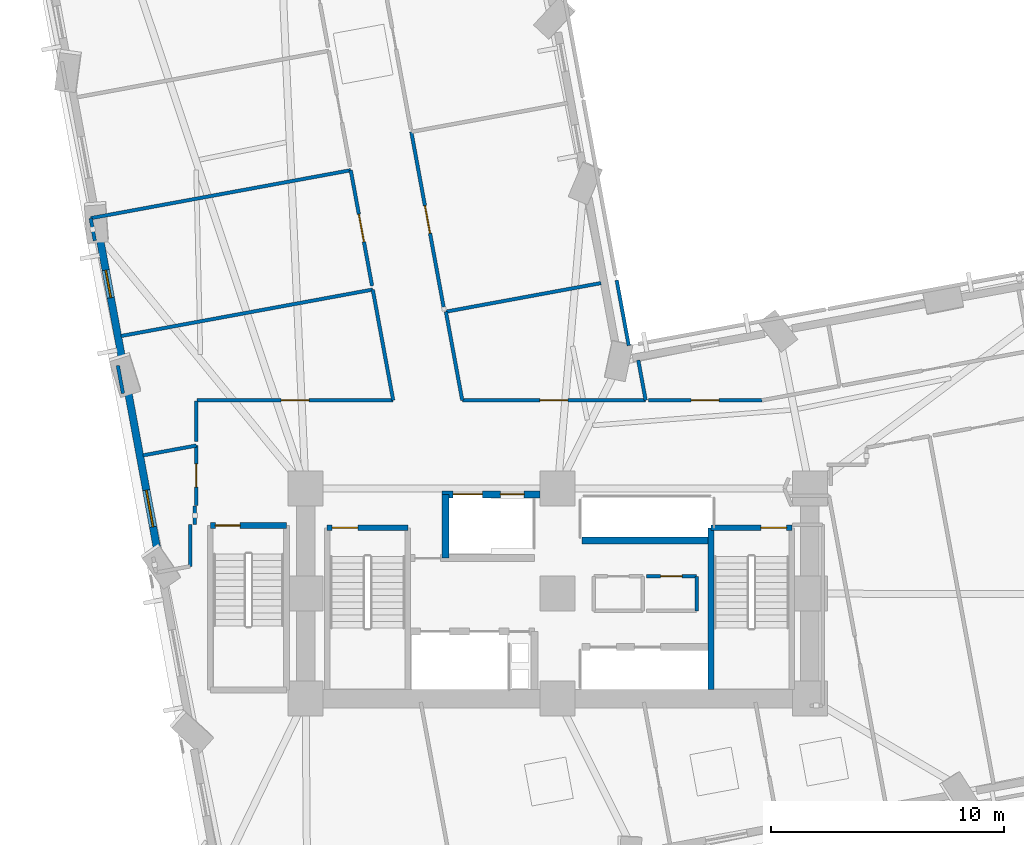
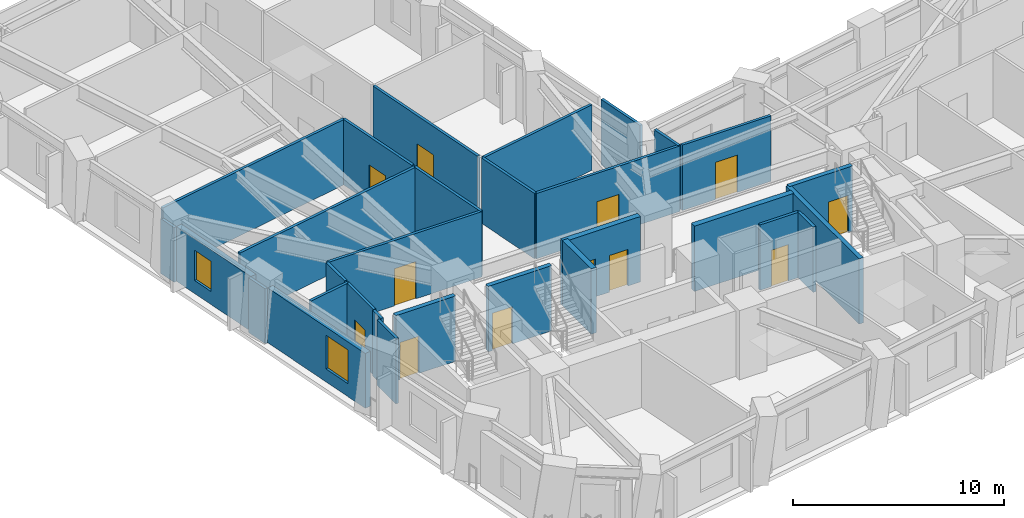
# One storey, part 8 of 16: 30 walls, 12 doors, 2 windows, 14 openings.
"""IFC4 building model written with IfcOpenShell, lengths in metres."""

from ifc_helpers import new_model, si_unit, direction, frame, frame_2d, origin, place, context, subcontext, project, spatial, rectangle, extrude, material, layer, layer_set, type_object, element, fill, save


model = new_model("IFC4")

# Units and contexts
model_context = context("Model", 3, precision=1e-05, world=origin(), true_north=direction((0.0, 1.0)))
body_context = subcontext(model_context, "Body", "Model", "MODEL_VIEW")
ifc_project = project(units=[si_unit("LENGTHUNIT", "METRE"), si_unit("AREAUNIT", "SQUARE_METRE"), si_unit("VOLUMEUNIT", "CUBIC_METRE"), si_unit("PLANEANGLEUNIT", "RADIAN"), si_unit("MASSUNIT", "GRAM", prefix="KILO")], contexts=[model_context])

# Site, building, storey
site_placement = place(None, origin())
site = spatial("IfcSite", under=ifc_project, at=site_placement, CompositionType="ELEMENT")
building_placement = place(site_placement, origin())
building = spatial("IfcBuilding", under=site, at=building_placement, Name="Gaonmaruhae Medical Tower", CompositionType="ELEMENT")
storey_placement = place(building_placement, frame((0.0, 0.0, 67.0)))
storey = spatial("IfcBuildingStorey", under=building, at=storey_placement, Name="L15", CompositionType="ELEMENT", Elevation=67.0)

# Wall, opening, window
ifc_material_1 = material(Name="Precast concrete C45/55", Category="concrete")
ifc_layer_1 = layer(ifc_material_1, 0.320068359375)
ifc_layer_set_1 = layer_set([ifc_layer_1], Name="Precast concrete C45/55")
wall_type_1 = type_object("IfcWallType", Name="EW-320 Lower Precast Masonry-Frame Facade Wall", PredefinedType="SOLIDWALL", material=ifc_layer_set_1)
wall_1_placement = place(storey_placement, frame((6.1826171875, 22.112548828125, 0.0), z_axis=(0.0, 0.0, 1.0), x_axis=(-0.181381825372, 0.983412748252, 0.0)))
wall_1 = element("IfcWall", 1, at=wall_1_placement, inside=storey, type_object=wall_type_1, Name="L15 Precast Masonry-Frame Wall W03-W04", PredefinedType="SOLIDWALL", context=body_context, shape_type="SweptSolid", body=[
    extrude(rectangle(XDim=5.437744140625, YDim=0.320068359375, at=frame_2d((2.71875, 0.0))), origin(), (0.0, 0.0, 1.0), 3.1650390625),
])
opening_1_placement = place(wall_1_placement, frame((2.9130859375, 0.0, 0.75)))
opening_1 = element("IfcOpeningElement", 2, at=opening_1_placement, cuts=wall_1, Name="Opening WN-05", PredefinedType="OPENING", context=body_context, shape_type="SweptSolid", body=[
    extrude(rectangle(XDim=1.199951171875, YDim=1.75, at=frame_2d((0.60009765625, 0.875))), frame((0.0, 0.169921875, 0.0), z_axis=(0.0, -1.0, 0.0), x_axis=(1.0, 0.0, 0.0)), (0.0, 0.0, 1.0), 0.340087890625),
])
ifc_material_2 = material(Name="Anodised aluminium and Low-E double glazing", Category="aluminium")
window_type_1 = type_object("IfcWindowType", Name="WN-05 Support & Staff Punched Window 1200x1750", PartitioningType="SINGLE_PANEL", PredefinedType="WINDOW", material=ifc_material_2)
window_1_placement = place(opening_1_placement, origin())
window_1 = element("IfcWindow", 3, at=window_1_placement, inside=storey, type_object=window_type_1, Name="L15 Modular Facade Window W03", OverallHeight=1.75, OverallWidth=1.199951171875, PartitioningType="SINGLE_PANEL", PredefinedType="WINDOW", context=body_context, shape_type="SweptSolid", body=[
    extrude(rectangle(XDim=1.199951171875, YDim=1.75, at=frame_2d((0.60009765625, 0.875))), frame((0.0, 0.030029296875, 0.0), z_axis=(0.0, -1.0, 0.0), x_axis=(1.0, 0.0, 0.0)), (0.0, 0.0, 1.0), 0.06005859375),
])
fill(opening_1, window_1)

wall_2_placement = place(storey_placement, frame((7.697509765625, 13.8994140625, 0.0), z_axis=(0.0, 0.0, 1.0), x_axis=(-0.181389692057, 0.983411297279, 0.0)))
wall_2 = element("IfcWall", 4, at=wall_2_placement, inside=storey, type_object=wall_type_1, Name="L15 Precast Masonry-Frame Wall W04-W05", PredefinedType="SOLIDWALL", context=body_context, shape_type="SweptSolid", body=[
    extrude(rectangle(XDim=7.13623046875, YDim=0.320068359375, at=frame_2d((3.568115234375, 0.0))), origin(), (0.0, 0.0, 1.0), 3.1650390625),
])
opening_2_placement = place(wall_2_placement, frame((1.281494140625, 0.0, 0.75)))
opening_2 = element("IfcOpeningElement", 5, at=opening_2_placement, cuts=wall_2, Name="Opening WN-01", PredefinedType="OPENING", context=body_context, shape_type="SweptSolid", body=[
    extrude(rectangle(XDim=1.60009765625, YDim=1.949951171875, at=frame_2d((0.800048828125, 0.97509765625))), frame((0.0, 0.169921875, 0.0), z_axis=(0.0, -1.0, 0.0), x_axis=(1.0, 0.0, 0.0)), (0.0, 0.0, 1.0), 0.340087890625),
])
window_type_2 = type_object("IfcWindowType", Name="WN-01 Ward Punched Acoustic Window 1600x1950", PartitioningType="SINGLE_PANEL", PredefinedType="WINDOW", material=ifc_material_2)
window_2_placement = place(opening_2_placement, origin())
window_2 = element("IfcWindow", 6, at=window_2_placement, inside=storey, type_object=window_type_2, Name="L15 Modular Facade Window W04", OverallHeight=1.949951171875, OverallWidth=1.60009765625, PartitioningType="SINGLE_PANEL", PredefinedType="WINDOW", context=body_context, shape_type="SweptSolid", body=[
    extrude(rectangle(XDim=1.60009765625, YDim=1.949951171875, at=frame_2d((0.800048828125, 0.97509765625))), frame((0.0, 0.030029296875, 0.0), z_axis=(0.0, -1.0, 0.0), x_axis=(1.0, 0.0, 0.0)), (0.0, 0.0, 1.0), 0.06005859375),
])
fill(opening_2, window_2)

# Wall, opening, door
ifc_material_3 = material(Name="Gypsum board partition", Category="gypsum")
ifc_layer_2 = layer(ifc_material_3, 0.14990234375)
ifc_layer_set_2 = layer_set([ifc_layer_2], Name="Gypsum board partition")
wall_type_2 = type_object("IfcWallType", Name="PW-150 Rated Clinical Corridor Partition", PredefinedType="PARTITIONING", material=ifc_layer_set_2)
wall_3_placement = place(storey_placement, frame((28.60009765625, 13.0400390625, 0.0), z_axis=(0.0, 0.0, 1.0), x_axis=(1.0, 0.0, 0.0)))
wall_3 = element("IfcWall", 7, at=wall_3_placement, inside=storey, type_object=wall_type_2, Name="L15 Interior Partition L15-CS2-5", PredefinedType="PARTITIONING", context=body_context, shape_type="SweptSolid", body=[
    extrude(rectangle(XDim=2.14990234375, YDim=0.14990234375, at=frame_2d((1.074951171875, 0.0))), origin(), (0.0, 0.0, 1.0), 3.780029296875),
])
opening_3_placement = place(wall_3_placement, frame((0.614990234375, 0.0, 0.0)))
opening_3 = element("IfcOpeningElement", 8, at=opening_3_placement, cuts=wall_3, Name="Opening UD-01", PredefinedType="OPENING", context=body_context, shape_type="SweptSolid", body=[
    extrude(rectangle(XDim=0.919921875, YDim=2.10009765625, at=frame_2d((0.4599609375, 1.050048828125))), frame((0.0, 0.0849609375, 0.0), z_axis=(0.0, -1.0, 0.0), x_axis=(1.0, 0.0, 0.0)), (0.0, 0.0, 1.0), 0.169921875),
])
ifc_material_4 = material(Name="Powder-coated steel utility door", Category="steel")
door_type_1 = type_object("IfcDoorType", Name="UD-01 Toilet, Utility & Housekeeping Door 920x2100", OperationType="NOTDEFINED", PredefinedType="DOOR", material=ifc_material_4)
door_1_placement = place(opening_3_placement, origin())
door_1 = element("IfcDoor", 9, at=door_1_placement, inside=storey, type_object=door_type_1, Name="L15 Biomedical Telemetry Closet Door", OperationType="SINGLE_SWING_LEFT", OverallHeight=2.10009765625, OverallWidth=0.919921875, PredefinedType="DOOR", context=body_context, shape_type="SweptSolid", body=[
    extrude(rectangle(XDim=0.919921875, YDim=2.10009765625, at=frame_2d((0.4599609375, 1.050048828125))), frame((0.0, 0.02490234375, 0.0), z_axis=(0.0, -1.0, 0.0), x_axis=(1.0, 0.0, 0.0)), (0.0, 0.0, 1.0), 0.050048828125),
])
fill(opening_3, door_1)

# Walls
wall_4_placement = place(storey_placement, frame((30.75, 13.0400390625, 0.0), z_axis=(0.0, 0.0, 1.0), x_axis=(0.0, -1.0, 0.0)))
element("IfcWall", 10, at=wall_4_placement, inside=storey, type_object=wall_type_2, Name="L15 Interior Partition L15-CS2-6", PredefinedType="PARTITIONING", context=body_context, shape_type="SweptSolid", body=[
    extrude(rectangle(XDim=1.47998046875, YDim=0.14990234375, at=frame_2d((0.739990234375, 0.0))), origin(), (0.0, 0.0, 1.0), 3.780029296875),
])
wall_5_placement = place(storey_placement, frame((9.260009765625, 16.0458984375, 0.0), z_axis=(0.0, 0.0, 1.0), x_axis=(0.0, -1.0, 0.0)))
element("IfcWall", 11, at=wall_5_placement, inside=storey, type_object=wall_type_2, Name="L15 Interior Partition L15-WOF12-43", PredefinedType="PARTITIONING", context=body_context, shape_type="SweptSolid", body=[
    extrude(rectangle(XDim=0.785888671875, YDim=0.14990234375, at=frame_2d((0.39306640625, 0.0))), origin(), (0.0, 0.0, 1.0), 3.780029296875),
])
wall_6_placement = place(storey_placement, frame((9.050048828125, 15.260009765625, 0.0), z_axis=(0.0, 0.0, 1.0), x_axis=(0.0, -1.0, 0.0)))
element("IfcWall", 12, at=wall_6_placement, inside=storey, type_object=wall_type_2, Name="L15 Interior Partition L15-WOF12-44", PredefinedType="PARTITIONING", context=body_context, shape_type="SweptSolid", body=[
    extrude(rectangle(XDim=1.791015625, YDim=0.14990234375, at=frame_2d((0.8955078125, 0.0))), origin(), (0.0, 0.0, 1.0), 3.780029296875),
])
wall_7_placement = place(storey_placement, frame((7.037109375, 18.222900390625, 0.0), z_axis=(0.0, 0.0, 1.0), x_axis=(0.983407301044, 0.181411356465, 0.0)))
element("IfcWall", 13, at=wall_7_placement, inside=storey, type_object=wall_type_2, Name="L15 Interior Partition L15-WOF12-47", PredefinedType="PARTITIONING", context=body_context, shape_type="SweptSolid", body=[
    extrude(rectangle(XDim=2.321533203125, YDim=0.14990234375, at=frame_2d((1.16064453125, 0.0))), origin(), (0.0, 0.0, 1.0), 3.780029296875),
])

# Wall, opening, door
wall_8_placement = place(storey_placement, frame((9.320068359375, 18.64404296875, 0.0), z_axis=(0.0, 0.0, 1.0), x_axis=(0.0, -1.0, 0.0)))
wall_8 = element("IfcWall", 14, at=wall_8_placement, inside=storey, type_object=wall_type_2, Name="L15 Interior Partition L15-WOF12-48", PredefinedType="PARTITIONING", context=body_context, shape_type="SweptSolid", body=[
    extrude(rectangle(XDim=2.56201171875, YDim=0.14990234375, at=frame_2d((1.281005859375, 0.0))), origin(), (0.0, 0.0, 1.0), 3.780029296875),
])
opening_4_placement = place(wall_8_placement, frame((0.781005859375, 0.0, 0.0)))
opening_4 = element("IfcOpeningElement", 15, at=opening_4_placement, cuts=wall_8, Name="Opening CD-01", PredefinedType="OPENING", context=body_context, shape_type="SweptSolid", body=[
    extrude(rectangle(XDim=1.0, YDim=2.1201171875, at=frame_2d((0.5, 1.06005859375))), frame((0.0, 0.0849609375, 0.0), z_axis=(0.0, -1.0, 0.0), x_axis=(1.0, 0.0, 0.0)), (0.0, 0.0, 1.0), 0.169921875),
])
ifc_material_5 = material(Name="Antimicrobial laminate timber fire door", Category="wood")
door_type_2 = type_object("IfcDoorType", Name="CD-01 Consultation & Physician Office Door 1000x2120", OperationType="NOTDEFINED", PredefinedType="DOOR", material=ifc_material_5)
door_2_placement = place(opening_4_placement, origin())
door_2 = element("IfcDoor", 16, at=door_2_placement, inside=storey, type_object=door_type_2, Name="L15 Ward Physician Reporting Office Door", OperationType="SINGLE_SWING_RIGHT", OverallHeight=2.1201171875, OverallWidth=1.0, PredefinedType="DOOR", context=body_context, shape_type="SweptSolid", body=[
    extrude(rectangle(XDim=1.0, YDim=2.1201171875, at=frame_2d((0.5, 1.06005859375))), frame((0.0, 0.02490234375, 0.0), z_axis=(0.0, -1.0, 0.0), x_axis=(1.0, 0.0, 0.0)), (0.0, 0.0, 1.0), 0.050048828125),
])
fill(opening_4, door_2)

# Walls
wall_9_placement = place(storey_placement, frame((9.320068359375, 20.550048828125, 0.0), z_axis=(0.0, 0.0, 1.0), x_axis=(0.0, -1.0, 0.0)))
element("IfcWall", 17, at=wall_9_placement, inside=storey, type_object=wall_type_2, Name="L15 Interior Partition L15-WOF13-49", PredefinedType="PARTITIONING", context=body_context, shape_type="SweptSolid", body=[
    extrude(rectangle(XDim=1.7431640625, YDim=0.14990234375, at=frame_2d((0.87158203125, 0.0))), origin(), (0.0, 0.0, 1.0), 3.780029296875),
])
wall_10_placement = place(storey_placement, frame((6.177001953125, 20.8759765625, 0.0), z_axis=(0.0, 0.0, 1.0), x_axis=(-0.181801511669, 0.983335248201, 0.0)))
element("IfcWall", 18, at=wall_10_placement, inside=storey, type_object=wall_type_2, Name="L15 Interior Partition L15-WOF13-50", PredefinedType="PARTITIONING", context=body_context, shape_type="SweptSolid", body=[
    extrude(rectangle(XDim=1.21533203125, YDim=0.14990234375, at=frame_2d((0.607666015625, 0.0))), origin(), (0.0, 0.0, 1.0), 3.1650390625),
])
wall_11_placement = place(storey_placement, frame((6.093994140625, 23.3369140625, 0.0), z_axis=(0.0, 0.0, 1.0), x_axis=(0.983409627974, 0.181398742027, 0.0)))
element("IfcWall", 19, at=wall_11_placement, inside=storey, type_object=wall_type_2, Name="L15 Interior Partition L15-WOF13-51", PredefinedType="PARTITIONING", context=body_context, shape_type="SweptSolid", body=[
    extrude(rectangle(XDim=10.96484375, YDim=0.14990234375, at=frame_2d((5.482421875, 0.0))), origin(), (0.0, 0.0, 1.0), 3.780029296875),
])
wall_12_placement = place(storey_placement, frame((16.876953125, 25.325927734375, 0.0), z_axis=(0.0, 0.0, 1.0), x_axis=(0.181511352998, -0.983388849201, 0.0)))
element("IfcWall", 20, at=wall_12_placement, inside=storey, type_object=wall_type_2, Name="L15 Interior Partition L15-WOF13-52", PredefinedType="PARTITIONING", context=body_context, shape_type="SweptSolid", body=[
    extrude(rectangle(XDim=4.825927734375, YDim=0.14990234375, at=frame_2d((2.4130859375, 0.0))), origin(), (0.0, 0.0, 1.0), 3.780029296875),
])

# Wall, opening, door
wall_13_placement = place(storey_placement, frame((17.7529296875, 20.580078125, 0.0), z_axis=(0.0, 0.0, 1.0), x_axis=(-1.0, 0.0, 0.0)))
wall_13 = element("IfcWall", 21, at=wall_13_placement, inside=storey, type_object=wall_type_2, Name="L15 Interior Partition L15-WOF13-53", PredefinedType="PARTITIONING", context=body_context, shape_type="SweptSolid", body=[
    extrude(rectangle(XDim=8.406005859375, YDim=0.14990234375, at=frame_2d((4.203125, 0.0))), origin(), (0.0, 0.0, 1.0), 3.780029296875),
])
opening_5_placement = place(wall_13_placement, frame((3.60302734375, 0.0, 0.0)))
opening_5 = element("IfcOpeningElement", 22, at=opening_5_placement, cuts=wall_13, Name="Opening CD-02", PredefinedType="OPENING", context=body_context, shape_type="SweptSolid", body=[
    extrude(rectangle(XDim=1.199951171875, YDim=2.14990234375, at=frame_2d((0.60009765625, 1.074951171875))), frame((0.0, 0.0849609375, 0.0), z_axis=(0.0, -1.0, 0.0), x_axis=(1.0, 0.0, 0.0)), (0.0, 0.0, 1.0), 0.169921875),
])
door_type_3 = type_object("IfcDoorType", Name="CD-02 Clinical Treatment & Procedure Door 1200x2150", OperationType="NOTDEFINED", PredefinedType="DOOR", material=ifc_material_5)
door_3_placement = place(opening_5_placement, origin())
door_3 = element("IfcDoor", 23, at=door_3_placement, inside=storey, type_object=door_type_3, Name="L15 Ward Physician Reporting Office Door", OperationType="SINGLE_SWING_LEFT", OverallHeight=2.14990234375, OverallWidth=1.199951171875, PredefinedType="DOOR", context=body_context, shape_type="SweptSolid", body=[
    extrude(rectangle(XDim=1.199951171875, YDim=2.14990234375, at=frame_2d((0.60009765625, 1.074951171875))), frame((0.0, 0.02490234375, 0.0), z_axis=(0.0, -1.0, 0.0), x_axis=(1.0, 0.0, 0.0)), (0.0, 0.0, 1.0), 0.050048828125),
])
fill(opening_5, door_3)

# Wall
wall_14_placement = place(storey_placement, frame((4.7919921875, 28.384033203125, 0.0), z_axis=(0.0, 0.0, 1.0), x_axis=(0.983414775283, 0.181370834909, 0.0)))
element("IfcWall", 24, at=wall_14_placement, inside=storey, type_object=wall_type_2, Name="L15 Interior Partition L15-WOF14-54", PredefinedType="PARTITIONING", context=body_context, shape_type="SweptSolid", body=[
    extrude(rectangle(XDim=11.330078125, YDim=0.14990234375, at=frame_2d((5.6650390625, 0.0))), origin(), (0.0, 0.0, 1.0), 3.780029296875),
])

# Wall, opening, door
wall_15_placement = place(storey_placement, frame((15.93408203125, 30.43896484375, 0.0), z_axis=(0.0, 0.0, 1.0), x_axis=(0.181327650792, -0.983422738734, 0.0)))
wall_15 = element("IfcWall", 25, at=wall_15_placement, inside=storey, type_object=wall_type_2, Name="L15 Interior Partition L15-WOF14-55", PredefinedType="PARTITIONING", context=body_context, shape_type="SweptSolid", body=[
    extrude(rectangle(XDim=5.03955078125, YDim=0.14990234375, at=frame_2d((2.519775390625, 0.0))), origin(), (0.0, 0.0, 1.0), 3.780029296875),
])
opening_6_placement = place(wall_15_placement, frame((1.919921875, 0.0, 0.0)))
opening_6 = element("IfcOpeningElement", 26, at=opening_6_placement, cuts=wall_15, Name="Opening CD-02", PredefinedType="OPENING", context=body_context, shape_type="SweptSolid", body=[
    extrude(rectangle(XDim=1.199951171875, YDim=2.14990234375, at=frame_2d((0.60009765625, 1.074951171875))), frame((0.0, 0.0849609375, 0.0), z_axis=(0.0, -1.0, 0.0), x_axis=(1.0, 0.0, 0.0)), (0.0, 0.0, 1.0), 0.169921875),
])
door_4_placement = place(opening_6_placement, origin())
door_4 = element("IfcDoor", 27, at=door_4_placement, inside=storey, type_object=door_type_3, Name="L15 Ward Physician Reporting Office Door", OperationType="SINGLE_SWING_RIGHT", OverallHeight=2.14990234375, OverallWidth=1.199951171875, PredefinedType="DOOR", context=body_context, shape_type="SweptSolid", body=[
    extrude(rectangle(XDim=1.199951171875, YDim=2.14990234375, at=frame_2d((0.60009765625, 1.074951171875))), frame((0.0, 0.02490234375, 0.0), z_axis=(0.0, -1.0, 0.0), x_axis=(1.0, 0.0, 0.0)), (0.0, 0.0, 1.0), 0.050048828125),
])
fill(opening_6, door_4)

# Walls
wall_16_placement = place(storey_placement, frame((4.969970703125, 27.4189453125, 0.0), z_axis=(0.0, 0.0, 1.0), x_axis=(-0.181358715059, 0.983417010465, 0.0)))
element("IfcWall", 28, at=wall_16_placement, inside=storey, type_object=wall_type_2, Name="L15 Interior Partition L15-WOF14-56", PredefinedType="PARTITIONING", context=body_context, shape_type="SweptSolid", body=[
    extrude(rectangle(XDim=0.9814453125, YDim=0.14990234375, at=frame_2d((0.49072265625, 0.0))), origin(), (0.0, 0.0, 1.0), 3.1650390625),
])
wall_17_placement = place(storey_placement, frame((20.010986328125, 24.3779296875, 0.0), z_axis=(0.0, 0.0, 1.0), x_axis=(0.983391113063, 0.181499087461, 0.0)))
element("IfcWall", 29, at=wall_17_placement, inside=storey, type_object=wall_type_2, Name="L15 Interior Partition L15-IE01-68", PredefinedType="PARTITIONING", context=body_context, shape_type="SweptSolid", body=[
    extrude(rectangle(XDim=6.75537109375, YDim=0.14990234375, at=frame_2d((3.377685546875, 0.0))), origin(), (0.0, 0.0, 1.0), 3.780029296875),
])
wall_18_placement = place(storey_placement, frame((27.327880859375, 25.72802734375, 0.0), z_axis=(0.0, 0.0, 1.0), x_axis=(0.181417495427, -0.983406168555, 0.0)))
element("IfcWall", 30, at=wall_18_placement, inside=storey, type_object=wall_type_2, Name="L15 Interior Partition L15-IE01-69", PredefinedType="PARTITIONING", context=body_context, shape_type="SweptSolid", body=[
    extrude(rectangle(XDim=2.850341796875, YDim=0.14990234375, at=frame_2d((1.42529296875, 0.0))), origin(), (0.0, 0.0, 1.0), 3.780029296875),
])
wall_19_placement = place(storey_placement, frame((28.251953125, 22.303955078125, 0.0), z_axis=(0.0, 0.0, 1.0), x_axis=(0.18147081421, -0.983396330881, 0.0)))
element("IfcWall", 31, at=wall_19_placement, inside=storey, type_object=wall_type_2, Name="L15 Interior Partition L15-IE01-70", PredefinedType="PARTITIONING", context=body_context, shape_type="SweptSolid", body=[
    extrude(rectangle(XDim=1.7529296875, YDim=0.14990234375, at=frame_2d((0.87646484375, 0.0))), origin(), (0.0, 0.0, 1.0), 3.780029296875),
])

# Wall, opening, door
wall_20_placement = place(storey_placement, frame((28.570068359375, 20.580078125, 0.0), z_axis=(0.0, 0.0, 1.0), x_axis=(-1.0, 0.0, 0.0)))
wall_20 = element("IfcWall", 32, at=wall_20_placement, inside=storey, type_object=wall_type_2, Name="L15 Interior Partition L15-IE01-71", PredefinedType="PARTITIONING", context=body_context, shape_type="SweptSolid", body=[
    extrude(rectangle(XDim=7.858154296875, YDim=0.14990234375, at=frame_2d((3.92919921875, 0.0))), origin(), (0.0, 0.0, 1.0), 3.780029296875),
])
opening_7_placement = place(wall_20_placement, frame((3.3291015625, 0.0, 0.0)))
opening_7 = element("IfcOpeningElement", 33, at=opening_7_placement, cuts=wall_20, Name="Opening CD-02", PredefinedType="OPENING", context=body_context, shape_type="SweptSolid", body=[
    extrude(rectangle(XDim=1.199951171875, YDim=2.14990234375, at=frame_2d((0.60009765625, 1.074951171875))), frame((0.0, 0.0849609375, 0.0), z_axis=(0.0, -1.0, 0.0), x_axis=(1.0, 0.0, 0.0)), (0.0, 0.0, 1.0), 0.169921875),
])
door_5_placement = place(opening_7_placement, origin())
door_5 = element("IfcDoor", 34, at=door_5_placement, inside=storey, type_object=door_type_3, Name="L15 Central Clinical Nurse Station Door", OperationType="SINGLE_SWING_RIGHT", OverallHeight=2.14990234375, OverallWidth=1.199951171875, PredefinedType="DOOR", context=body_context, shape_type="SweptSolid", body=[
    extrude(rectangle(XDim=1.199951171875, YDim=2.14990234375, at=frame_2d((0.60009765625, 1.074951171875))), frame((0.0, 0.02490234375, 0.0), z_axis=(0.0, -1.0, 0.0), x_axis=(1.0, 0.0, 0.0)), (0.0, 0.0, 1.0), 0.050048828125),
])
fill(opening_7, door_5)

# Wall
wall_21_placement = place(storey_placement, frame((20.7119140625, 20.580078125, 0.0), z_axis=(0.0, 0.0, 1.0), x_axis=(-0.181493870528, 0.983392075909, 0.0)))
element("IfcWall", 35, at=wall_21_placement, inside=storey, type_object=wall_type_2, Name="L15 Interior Partition L15-IE01-72", PredefinedType="PARTITIONING", context=body_context, shape_type="SweptSolid", body=[
    extrude(rectangle(XDim=3.862060546875, YDim=0.14990234375, at=frame_2d((1.93115234375, 0.0))), origin(), (0.0, 0.0, 1.0), 3.780029296875),
])

# Wall, opening, door
wall_22_placement = place(storey_placement, frame((33.544921875, 20.580078125, 0.0), z_axis=(0.0, 0.0, 1.0), x_axis=(-1.0, 0.0, 0.0)))
wall_22 = element("IfcWall", 36, at=wall_22_placement, inside=storey, type_object=wall_type_2, Name="L15 Interior Partition L15-IE02-76", PredefinedType="PARTITIONING", context=body_context, shape_type="SweptSolid", body=[
    extrude(rectangle(XDim=4.85302734375, YDim=0.14990234375, at=frame_2d((2.426513671875, 0.0))), origin(), (0.0, 0.0, 1.0), 3.780029296875),
])
opening_8_placement = place(wall_22_placement, frame((1.826416015625, 0.0, 0.0)))
opening_8 = element("IfcOpeningElement", 37, at=opening_8_placement, cuts=wall_22, Name="Opening CD-02", PredefinedType="OPENING", context=body_context, shape_type="SweptSolid", body=[
    extrude(rectangle(XDim=1.199951171875, YDim=2.14990234375, at=frame_2d((0.60009765625, 1.074951171875))), frame((0.0, 0.0849609375, 0.0), z_axis=(0.0, -1.0, 0.0), x_axis=(1.0, 0.0, 0.0)), (0.0, 0.0, 1.0), 0.169921875),
])
door_6_placement = place(opening_8_placement, origin())
door_6 = element("IfcDoor", 38, at=door_6_placement, inside=storey, type_object=door_type_3, Name="L15 Acute Treatment Examination Room Door", OperationType="SINGLE_SWING_RIGHT", OverallHeight=2.14990234375, OverallWidth=1.199951171875, PredefinedType="DOOR", context=body_context, shape_type="SweptSolid", body=[
    extrude(rectangle(XDim=1.199951171875, YDim=2.14990234375, at=frame_2d((0.60009765625, 1.074951171875))), frame((0.0, 0.02490234375, 0.0), z_axis=(0.0, -1.0, 0.0), x_axis=(1.0, 0.0, 0.0)), (0.0, 0.0, 1.0), 0.050048828125),
])
fill(opening_8, door_6)

wall_23_placement = place(storey_placement, frame((19.9140625, 24.573974609375, 0.0), z_axis=(0.0, 0.0, 1.0), x_axis=(-0.181409034839, 0.983407729316, 0.0)))
wall_23 = element("IfcWall", 39, at=wall_23_placement, inside=storey, type_object=wall_type_2, Name="L15 Interior Partition L15-IN01-91", PredefinedType="PARTITIONING", context=body_context, shape_type="SweptSolid", body=[
    extrude(rectangle(XDim=7.634765625, YDim=0.14990234375, at=frame_2d((3.8173828125, 0.0))), origin(), (0.0, 0.0, 1.0), 3.780029296875),
])
opening_9_placement = place(wall_23_placement, frame((3.21728515625, 0.0, 0.0)))
opening_9 = element("IfcOpeningElement", 40, at=opening_9_placement, cuts=wall_23, Name="Opening CD-02", PredefinedType="OPENING", context=body_context, shape_type="SweptSolid", body=[
    extrude(rectangle(XDim=1.199951171875, YDim=2.14990234375, at=frame_2d((0.60009765625, 1.074951171875))), frame((0.0, 0.0849609375, 0.0), z_axis=(0.0, -1.0, 0.0), x_axis=(1.0, 0.0, 0.0)), (0.0, 0.0, 1.0), 0.169921875),
])
door_7_placement = place(opening_9_placement, origin())
door_7 = element("IfcDoor", 41, at=door_7_placement, inside=storey, type_object=door_type_3, Name="L15 Physician Consultation Office Door", OperationType="SINGLE_SWING_RIGHT", OverallHeight=2.14990234375, OverallWidth=1.199951171875, PredefinedType="DOOR", context=body_context, shape_type="SweptSolid", body=[
    extrude(rectangle(XDim=1.199951171875, YDim=2.14990234375, at=frame_2d((0.60009765625, 1.074951171875))), frame((0.0, 0.02490234375, 0.0), z_axis=(0.0, -1.0, 0.0), x_axis=(1.0, 0.0, 0.0)), (0.0, 0.0, 1.0), 0.050048828125),
])
fill(opening_9, door_7)

ifc_material_6 = material(Name="Concrete C50/60", Category="concrete")
ifc_layer_3 = layer(ifc_material_6, 0.239990234375)
ifc_layer_set_3 = layer_set([ifc_layer_3], Name="Concrete C50/60")
wall_type_3 = type_object("IfcWallType", Name="SW-240 Dogleg Stair Tight Shaft Wall", PredefinedType="SOLIDWALL", material=ifc_layer_set_3)
wall_24_placement = place(storey_placement, frame((14.919921875, 15.1201171875, 0.0), z_axis=(0.0, 0.0, 1.0), x_axis=(1.0, 0.0, 0.0)))
wall_24 = element("IfcWall", 42, at=wall_24_placement, inside=storey, type_object=wall_type_3, Name="L15 ST-01 Stair Shaft Wall SHW-ST-01-N", PredefinedType="SOLIDWALL", context=body_context, shape_type="SweptSolid", body=[
    extrude(rectangle(XDim=3.4599609375, YDim=0.239990234375, at=frame_2d((1.72998046875, 0.0))), origin(), (0.0, 0.0, 1.0), 3.780029296875),
])
opening_10_placement = place(wall_24_placement, frame((0.219970703125, 0.0, 0.0)))
opening_10 = element("IfcOpeningElement", 43, at=opening_10_placement, cuts=wall_24, Name="Opening FD-01", PredefinedType="OPENING", context=body_context, shape_type="SweptSolid", body=[
    extrude(rectangle(XDim=1.10009765625, YDim=2.14990234375, at=frame_2d((0.550048828125, 1.074951171875))), frame((0.0, 0.1298828125, 0.0), z_axis=(0.0, -1.0, 0.0), x_axis=(1.0, 0.0, 0.0)), (0.0, 0.0, 1.0), 0.260009765625),
])
ifc_material_7 = material(Name="Powder-coated steel fire door", Category="steel")
door_type_4 = type_object("IfcDoorType", Name="FD-01 Escape Stair Protected Fire Door 1100x2150", OperationType="NOTDEFINED", PredefinedType="DOOR", material=ifc_material_7)
door_8_placement = place(opening_10_placement, origin())
door_8 = element("IfcDoor", 44, at=door_8_placement, inside=storey, type_object=door_type_4, Name="L15 ST-01 Protected Escape Stair Door", OperationType="SINGLE_SWING_LEFT", OverallHeight=2.14990234375, OverallWidth=1.10009765625, PredefinedType="DOOR", context=body_context, shape_type="SweptSolid", body=[
    extrude(rectangle(XDim=1.10009765625, YDim=2.14990234375, at=frame_2d((0.550048828125, 1.074951171875))), frame((0.0, 0.02490234375, 0.0), z_axis=(0.0, -1.0, 0.0), x_axis=(1.0, 0.0, 0.0)), (0.0, 0.0, 1.0), 0.050048828125),
])
fill(opening_10, door_8)

wall_25_placement = place(storey_placement, frame((31.3701171875, 15.1201171875, 0.0), z_axis=(0.0, 0.0, 1.0), x_axis=(1.0, 0.0, 0.0)))
wall_25 = element("IfcWall", 45, at=wall_25_placement, inside=storey, type_object=wall_type_3, Name="L15 ST-02 Stair Shaft Wall SHW-ST-02-N", PredefinedType="SOLIDWALL", context=body_context, shape_type="SweptSolid", body=[
    extrude(rectangle(XDim=3.4599609375, YDim=0.239990234375, at=frame_2d((1.72998046875, 0.0))), origin(), (0.0, 0.0, 1.0), 3.780029296875),
])
opening_11_placement = place(wall_25_placement, frame((2.139892578125, 0.0, 0.0)))
opening_11 = element("IfcOpeningElement", 46, at=opening_11_placement, cuts=wall_25, Name="Opening FD-01", PredefinedType="OPENING", context=body_context, shape_type="SweptSolid", body=[
    extrude(rectangle(XDim=1.10009765625, YDim=2.14990234375, at=frame_2d((0.550048828125, 1.074951171875))), frame((0.0, 0.1298828125, 0.0), z_axis=(0.0, -1.0, 0.0), x_axis=(1.0, 0.0, 0.0)), (0.0, 0.0, 1.0), 0.260009765625),
])
door_9_placement = place(opening_11_placement, origin())
door_9 = element("IfcDoor", 47, at=door_9_placement, inside=storey, type_object=door_type_4, Name="L15 ST-02 Protected Escape Stair Door", OperationType="SINGLE_SWING_RIGHT", OverallHeight=2.14990234375, OverallWidth=1.10009765625, PredefinedType="DOOR", context=body_context, shape_type="SweptSolid", body=[
    extrude(rectangle(XDim=1.10009765625, YDim=2.14990234375, at=frame_2d((0.550048828125, 1.074951171875))), frame((0.0, 0.02490234375, 0.0), z_axis=(0.0, -1.0, 0.0), x_axis=(1.0, 0.0, 0.0)), (0.0, 0.0, 1.0), 0.050048828125),
])
fill(opening_11, door_9)

# Wall
wall_26_placement = place(storey_placement, frame((31.3701171875, 8.199951171875, 0.0), z_axis=(0.0, 0.0, 1.0), x_axis=(0.0, 1.0, 0.0)))
element("IfcWall", 48, at=wall_26_placement, inside=storey, type_object=wall_type_3, Name="L15 ST-02 Stair Shaft Wall SHW-ST-02-W", PredefinedType="SOLIDWALL", context=body_context, shape_type="SweptSolid", body=[
    extrude(rectangle(XDim=6.920166015625, YDim=0.239990234375, at=frame_2d((3.4599609375, 0.0))), origin(), (0.0, 0.0, 1.0), 3.780029296875),
])

# Wall, opening, door
wall_27_placement = place(storey_placement, frame((9.919921875, 15.219970703125, 0.0), z_axis=(0.0, 0.0, 1.0), x_axis=(1.0, 0.0, 0.0)))
wall_27 = element("IfcWall", 49, at=wall_27_placement, inside=storey, type_object=wall_type_3, Name="L15 ST-03 Stair Shaft Wall SHW-ST-03-N", PredefinedType="SOLIDWALL", context=body_context, shape_type="SweptSolid", body=[
    extrude(rectangle(XDim=3.260009765625, YDim=0.239990234375, at=frame_2d((1.6298828125, 0.0))), origin(), (0.0, 0.0, 1.0), 3.780029296875),
])
opening_12_placement = place(wall_27_placement, frame((0.219970703125, 0.0, 0.0)))
opening_12 = element("IfcOpeningElement", 50, at=opening_12_placement, cuts=wall_27, Name="Opening FD-02", PredefinedType="OPENING", context=body_context, shape_type="SweptSolid", body=[
    extrude(rectangle(XDim=1.050048828125, YDim=2.14990234375, at=frame_2d((0.52490234375, 1.074951171875))), frame((0.0, 0.1298828125, 0.0), z_axis=(0.0, -1.0, 0.0), x_axis=(1.0, 0.0, 0.0)), (0.0, 0.0, 1.0), 0.260009765625),
])
door_type_5 = type_object("IfcDoorType", Name="FD-02 Secondary Stair Fire Door 1050x2150", OperationType="NOTDEFINED", PredefinedType="DOOR", material=ifc_material_7)
door_10_placement = place(opening_12_placement, origin())
door_10 = element("IfcDoor", 51, at=door_10_placement, inside=storey, type_object=door_type_5, Name="L15 ST-03 Protected Escape Stair Door", OperationType="SINGLE_SWING_LEFT", OverallHeight=2.14990234375, OverallWidth=1.050048828125, PredefinedType="DOOR", context=body_context, shape_type="SweptSolid", body=[
    extrude(rectangle(XDim=1.050048828125, YDim=2.14990234375, at=frame_2d((0.52490234375, 1.074951171875))), frame((0.0, 0.02490234375, 0.0), z_axis=(0.0, -1.0, 0.0), x_axis=(1.0, 0.0, 0.0)), (0.0, 0.0, 1.0), 0.050048828125),
])
fill(opening_12, door_10)

# Wall, openings, doors
ifc_layer_4 = layer(ifc_material_6, 0.300048828125)
ifc_layer_set_4 = layer_set([ifc_layer_4], Name="Concrete C50/60")
wall_type_4 = type_object("IfcWallType", Name="SW-300 Stair & Lift Hoistway Shaft Wall", PredefinedType="SOLIDWALL", material=ifc_layer_set_4)
wall_28_placement = place(storey_placement, frame((19.85009765625, 16.550048828125, 0.0), z_axis=(0.0, 0.0, 1.0), x_axis=(1.0, 0.0, 0.0)))
wall_28 = element("IfcWall", 52, at=wall_28_placement, inside=storey, type_object=wall_type_4, Name="L15 Core Shear Wall CSW-NB", PredefinedType="SOLIDWALL", context=body_context, shape_type="SweptSolid", body=[
    extrude(rectangle(XDim=4.199951171875, YDim=0.300048828125, at=frame_2d((2.10009765625, 0.0))), origin(), (0.0, 0.0, 1.0), 3.780029296875),
])
opening_13_placement = place(wall_28_placement, frame((0.47509765625, 0.0, 0.0)))
opening_13 = element("IfcOpeningElement", 53, at=opening_13_placement, cuts=wall_28, Name="Opening LD-F1", PredefinedType="OPENING", context=body_context, shape_type="SweptSolid", body=[
    extrude(rectangle(XDim=1.25, YDim=2.179931640625, at=frame_2d((0.625, 1.08984375))), frame((0.0, 0.16015625, 0.0), z_axis=(0.0, -1.0, 0.0), x_axis=(1.0, 0.0, 0.0)), (0.0, 0.0, 1.0), 0.320068359375),
])
opening_14_placement = place(wall_28_placement, frame((2.489990234375, 0.0, 0.0)))
opening_14 = element("IfcOpeningElement", 54, at=opening_14_placement, cuts=wall_28, Name="Opening LD-S1", PredefinedType="OPENING", context=body_context, shape_type="SweptSolid", body=[
    extrude(rectangle(XDim=1.02001953125, YDim=2.1201171875, at=frame_2d((0.510009765625, 1.06005859375))), frame((0.0, 0.16015625, 0.0), z_axis=(0.0, -1.0, 0.0), x_axis=(1.0, 0.0, 0.0)), (0.0, 0.0, 1.0), 0.320068359375),
])
ifc_material_8 = material(Name="Brushed stainless steel 316L landing door", Category="steel")
door_type_6 = type_object("IfcDoorType", Name="LD-F1 Firefighting & Bed Lift Sliding Landing Door 1250x2180", OperationType="NOTDEFINED", PredefinedType="DOOR", material=ifc_material_8)
door_11_placement = place(opening_13_placement, origin())
door_11 = element("IfcDoor", 55, at=door_11_placement, inside=storey, type_object=door_type_6, Name="L15 Service/Bed Lift Landing Door BDL-01", OperationType="DOUBLE_DOOR_SLIDING", OverallHeight=2.179931640625, OverallWidth=1.25, PredefinedType="DOOR", context=body_context, shape_type="SweptSolid", body=[
    extrude(rectangle(XDim=1.25, YDim=2.179931640625, at=frame_2d((0.625, 1.08984375))), frame((0.0, 0.02490234375, 0.0), z_axis=(0.0, -1.0, 0.0), x_axis=(1.0, 0.0, 0.0)), (0.0, 0.0, 1.0), 0.050048828125),
])
fill(opening_13, door_11)
ifc_material_9 = material(Name="Brushed stainless steel 304 landing door", Category="steel")
door_type_7 = type_object("IfcDoorType", Name="LD-S1 Service Lift Sliding Landing Door 1020x2120", OperationType="NOTDEFINED", PredefinedType="DOOR", material=ifc_material_9)
door_12_placement = place(opening_14_placement, origin())
door_12 = element("IfcDoor", 56, at=door_12_placement, inside=storey, type_object=door_type_7, Name="L15 Service/Bed Lift Landing Door SVL-01", OperationType="SLIDING_TO_LEFT", OverallHeight=2.1201171875, OverallWidth=1.02001953125, PredefinedType="DOOR", context=body_context, shape_type="SweptSolid", body=[
    extrude(rectangle(XDim=1.02001953125, YDim=2.1201171875, at=frame_2d((0.510009765625, 1.06005859375))), frame((0.0, 0.02490234375, 0.0), z_axis=(0.0, -1.0, 0.0), x_axis=(1.0, 0.0, 0.0)), (0.0, 0.0, 1.0), 0.050048828125),
])
fill(opening_14, door_12)

# Walls
wall_29_placement = place(storey_placement, frame((20.0, 13.820068359375, 0.0), z_axis=(0.0, 0.0, 1.0), x_axis=(0.0, 1.0, 0.0)))
element("IfcWall", 57, at=wall_29_placement, inside=storey, type_object=wall_type_4, Name="L15 Shaft Enclosure Wall SHW-BDW", PredefinedType="SOLIDWALL", context=body_context, shape_type="SweptSolid", body=[
    extrude(rectangle(XDim=2.72998046875, YDim=0.300048828125, at=frame_2d((1.364990234375, 0.0))), origin(), (0.0, 0.0, 1.0), 3.780029296875),
])
wall_30_placement = place(storey_placement, frame((25.85009765625, 14.580078125, 0.0), z_axis=(0.0, 0.0, 1.0), x_axis=(1.0, 0.0, 0.0)))
element("IfcWall", 58, at=wall_30_placement, inside=storey, type_object=wall_type_4, Name="L15 Shaft Enclosure Wall SHW-PLN", PredefinedType="SOLIDWALL", context=body_context, shape_type="SweptSolid", body=[
    extrude(rectangle(XDim=5.449951171875, YDim=0.300048828125, at=frame_2d((2.72509765625, 0.0))), origin(), (0.0, 0.0, 1.0), 3.780029296875),
])

save(model, "model.ifc")
